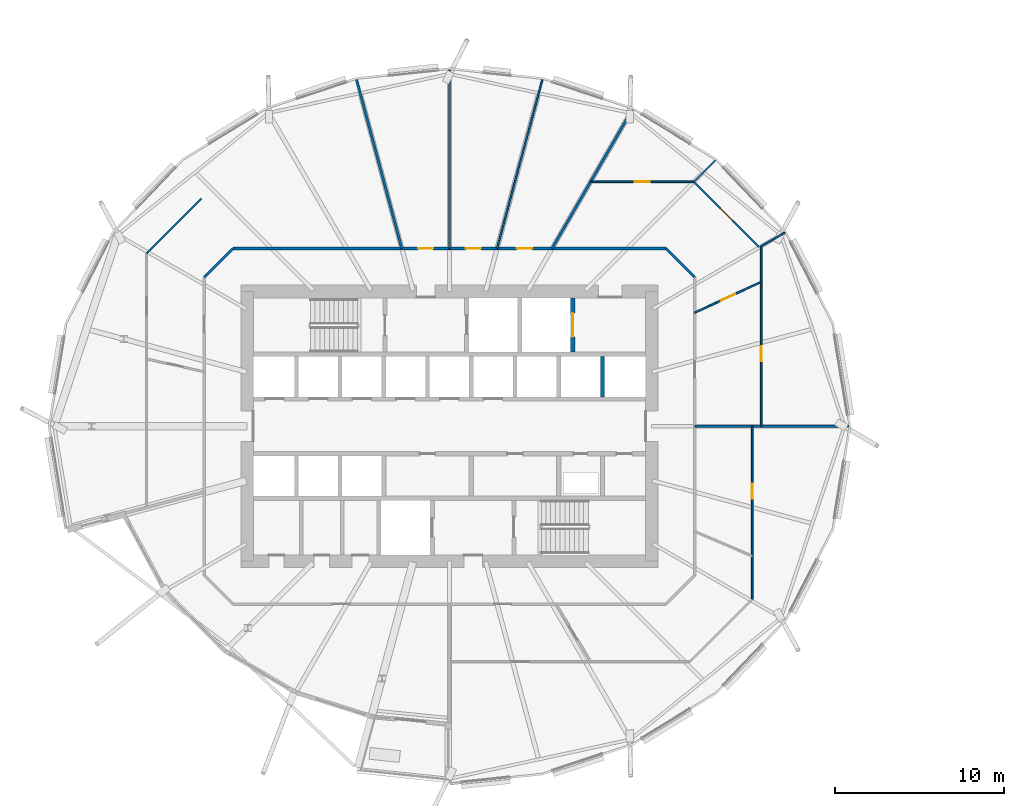
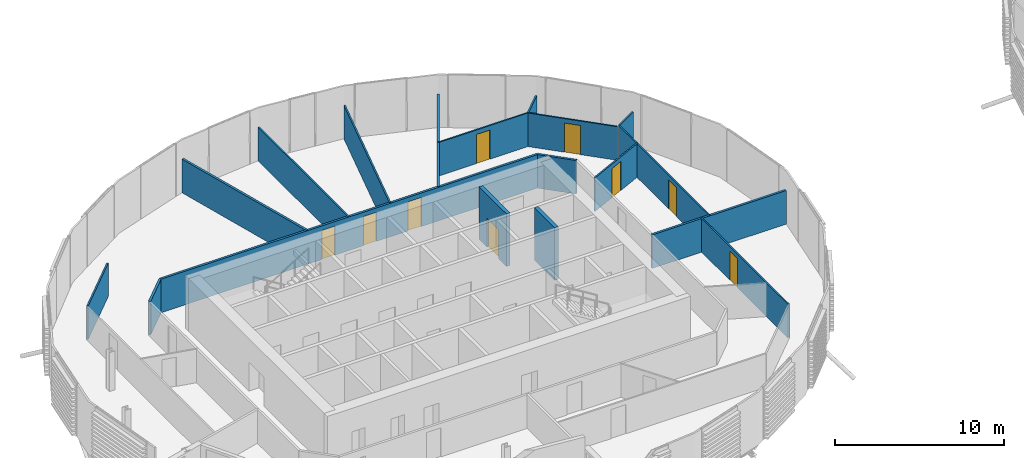
# One storey, part 24 of 43: 18 walls, 9 doors, 9 openings.
"""IFC4 building model written with IfcOpenShell, lengths in metres."""

import ifcopenshell
import ifcopenshell.guid

model = None  # the IFC model being written
_history = None  # IfcOwnerHistory: only IFC2X3 demands one
_inside = {}  # id of a spatial element -> (the spatial element, [elements in it])
_under = {}  # id of a project, library or spatial element -> (it, [spatial elements below it])
_declared = {}  # id of a project -> (the project, [libraries it declares])
_typed = {}  # id of a type object -> (the type object, [elements of that type])
_made_of = {}  # id of a material, layer set ... -> (it, [elements and type objects made of it])


def new_model(schema):
    """Start an empty IFC model of exactly this schema.

    Asked for "IFC4X3", IfcOpenShell would pick the latest addendum, in which some entities
    have other attributes; the version numbers below select the first issue.
    IFC2X3 requires an IfcOwnerHistory on every rooted entity: one is made here for all.
    """
    global model, _history
    if schema == "IFC4X3":
        model = ifcopenshell.file(schema_version=(4, 3, 0, 0))
    else:
        model = ifcopenshell.file(schema=schema)
    _inside.clear()
    _under.clear()
    _declared.clear()
    _typed.clear()
    _made_of.clear()
    _history = None
    if model.schema == "IFC2X3":
        org = make("IfcOrganization", Name="unknown")
        user = make(
            "IfcPersonAndOrganization",
            ThePerson=make("IfcPerson", FamilyName="unknown"),
            TheOrganization=org,
        )
        app = make(
            "IfcApplication",
            ApplicationDeveloper=org,
            Version="unknown",
            ApplicationFullName="unknown",
            ApplicationIdentifier="unknown",
        )
        _history = make(
            "IfcOwnerHistory",
            OwningUser=user,
            OwningApplication=app,
            ChangeAction="ADDED",
            CreationDate=0,
        )
    return model


def make(cls, **values):
    """One entity of the class cls with the attributes given. An attribute that is None is left unset."""
    return model.create_entity(
        cls, **{name: value for name, value in values.items() if value is not None}
    )


def rooted(cls, **values):
    """An entity with a GlobalId (a new one), such as an element, a storey or a relation."""
    return make(cls, GlobalId=ifcopenshell.guid.new(), OwnerHistory=_history, **values)


def si_unit(unit_type, name, prefix=None):
    """IfcSIUnit, for example si_unit("LENGTHUNIT", "METRE", prefix="MILLI")."""
    return make("IfcSIUnit", UnitType=unit_type, Prefix=prefix, Name=name)


def assignment(units):
    """IfcUnitAssignment: the units of a project."""
    return None if units is None else make("IfcUnitAssignment", Units=units)


def point(xyz):
    """IfcCartesianPoint."""
    return None if xyz is None else make("IfcCartesianPoint", Coordinates=xyz)


def direction(xyz):
    """IfcDirection."""
    return None if xyz is None else make("IfcDirection", DirectionRatios=xyz)


def frame(location, z_axis=None, x_axis=None):
    """IfcAxis2Placement3D, a coordinate frame: its origin and axes. An axis left out is left unset."""
    return make(
        "IfcAxis2Placement3D",
        Location=point(location),
        Axis=direction(z_axis),
        RefDirection=direction(x_axis),
    )


def frame_2d(location, x_axis=None):
    """IfcAxis2Placement2D, a coordinate frame in the plane: its origin and x axis."""
    return make(
        "IfcAxis2Placement2D", Location=point(location), RefDirection=direction(x_axis)
    )


def origin():
    """The frame at (0, 0, 0) with its axes left unset."""
    return frame((0.0, 0.0, 0.0))


def place(relative_to, where):
    """IfcLocalPlacement: puts the frame where relative to a parent placement (None: the world)."""
    return make(
        "IfcLocalPlacement", PlacementRelTo=relative_to, RelativePlacement=where
    )


def context(
    kind, dimensions, precision=None, world=None, true_north=None, identifier=None
):
    """IfcGeometricRepresentationContext, for example the 3D "Model" context."""
    return make(
        "IfcGeometricRepresentationContext",
        ContextIdentifier=identifier,
        ContextType=kind,
        CoordinateSpaceDimension=dimensions,
        Precision=precision,
        WorldCoordinateSystem=world,
        TrueNorth=true_north,
    )


def subcontext(parent, identifier, kind, view, scale=None):
    """IfcGeometricRepresentationSubContext, for example "Body" below "Model"."""
    return make(
        "IfcGeometricRepresentationSubContext",
        ContextIdentifier=identifier,
        ContextType=kind,
        ParentContext=parent,
        TargetScale=scale,
        TargetView=view,
    )


def project(units=None, contexts=None):
    """IfcProject with its units and contexts."""
    return rooted(
        "IfcProject",
        Name="project",
        RepresentationContexts=contexts,
        UnitsInContext=assignment(units),
    )


def spatial(cls, under=None, at=None, **own):
    """A site, building, storey or space (cls), placed at a placement, below another one or the project."""
    s = rooted(cls, ObjectPlacement=at, **own)
    if under is not None:
        _under.setdefault(under.id(), (under, []))[1].append(s)
    return s


def profile(cls, at=None, kind="AREA", **sizes):
    """A parametric profile (cls). Its sizes go by their IFC names, for example OverallWidth=200.0."""
    return make(cls, ProfileType=kind, Position=at, **sizes)


def rectangle(**sizes):
    """IfcRectangleProfileDef."""
    return profile("IfcRectangleProfileDef", **sizes)


def extrude(swept, where, along, depth):
    """IfcExtrudedAreaSolid: the profile swept, set in the frame where, extruded along a direction by depth."""
    return make(
        "IfcExtrudedAreaSolid",
        SweptArea=swept,
        Position=where,
        ExtrudedDirection=direction(along),
        Depth=depth,
    )


def shape(context_of_items, identifier, shape_type, items):
    """IfcShapeRepresentation: the items that make up one representation, for example the "Body"."""
    return make(
        "IfcShapeRepresentation",
        ContextOfItems=context_of_items,
        RepresentationIdentifier=identifier,
        RepresentationType=shape_type,
        Items=items,
    )


def material(Name=None, Category=None):
    """IfcMaterial."""
    return make("IfcMaterial", Name=Name, Category=Category)


def layer(
    of_material, thickness, ventilated=None, Name=None, Category=None, Priority=None
):
    """IfcMaterialLayer: one layer of a wall or slab, of a material (None: an air gap)."""
    return make(
        "IfcMaterialLayer",
        Material=of_material,
        LayerThickness=thickness,
        IsVentilated=ventilated,
        Name=Name,
        Category=Category,
        Priority=Priority,
    )


def layer_set(layers, Name=None):
    """IfcMaterialLayerSet."""
    return make("IfcMaterialLayerSet", MaterialLayers=layers, LayerSetName=Name)


def made_of(thing, what):
    """Note that an element or type object is made of a material, layer set ...; save() writes the relation."""
    if what is not None:
        _made_of.setdefault(what.id(), (what, []))[1].append(thing)
    return thing


def type_object(cls, material=None, **own):
    """A type object (cls), such as IfcWallType, which elements share."""
    return made_of(rooted(cls, **own), material)


def element(
    cls,
    number,
    at=None,
    inside=None,
    cuts=None,
    type_object=None,
    material=None,
    context=None,
    identifier="Body",
    shape_type=None,
    held_by="IfcProductDefinitionShape",
    body=None,
    shapes=None,
    **own,
):
    """One element of the class cls, such as IfcWall. Its Tag is "e" and its number.

    at: its placement. inside: the storey or other place that contains it. cuts: it is an
    opening in that element (IfcRelVoidsElement). A single representation is given by context,
    identifier, shape_type and body (its items); several are given by shapes. held_by: the class
    of the entity that holds the representations. save() writes the other relations.
    """
    e = rooted(cls, Tag="e%d" % number, ObjectPlacement=at, **own)
    if body is not None:
        shapes = [shape(context, identifier, shape_type, body)]
    if shapes is not None:
        e.Representation = make(held_by, Representations=shapes)
    if inside is not None:
        _inside.setdefault(inside.id(), (inside, []))[1].append(e)
    if cuts is not None:
        rooted(
            "IfcRelVoidsElement", RelatingBuildingElement=cuts, RelatedOpeningElement=e
        )
    if type_object is not None:
        _typed.setdefault(type_object.id(), (type_object, []))[1].append(e)
    return made_of(e, material)


def fill(opening, filler):
    """IfcRelFillsElement: the door or window that sits in an opening."""
    return rooted(
        "IfcRelFillsElement",
        RelatingOpeningElement=opening,
        RelatedBuildingElement=filler,
    )


def aggregate(whole, parts):
    """IfcRelAggregates: a whole, such as a stair, and the parts it consists of."""
    return rooted("IfcRelAggregates", RelatingObject=whole, RelatedObjects=parts)


def save(model, path):
    """Write the relations noted so far, then the file.

    IfcRelAggregates (storeys below a building ...), IfcRelContainedInSpatialStructure (elements
    in a storey), IfcRelDefinesByType, IfcRelAssociatesMaterial and IfcRelDeclares: one each for
    every whole, place, type object, material and project.
    """
    for whole, parts in _under.values():
        aggregate(whole, parts)
    for where, things in _inside.values():
        rooted(
            "IfcRelContainedInSpatialStructure",
            RelatedElements=things,
            RelatingStructure=where,
        )
    for kind, things in _typed.values():
        rooted("IfcRelDefinesByType", RelatedObjects=things, RelatingType=kind)
    for what, things in _made_of.values():
        rooted("IfcRelAssociatesMaterial", RelatedObjects=things, RelatingMaterial=what)
    for by, libraries in _declared.values():
        rooted("IfcRelDeclares", RelatingContext=by, RelatedDefinitions=libraries)
    model.write(path)


model = new_model("IFC4")

# Units and contexts
model_context = context("Model", 3, precision=1e-05, world=origin(), true_north=direction((0.0, 1.0)))
body_context = subcontext(model_context, "Body", "Model", "MODEL_VIEW")
ifc_project = project(units=[si_unit("LENGTHUNIT", "METRE"), si_unit("AREAUNIT", "SQUARE_METRE"), si_unit("VOLUMEUNIT", "CUBIC_METRE"), si_unit("PLANEANGLEUNIT", "RADIAN"), si_unit("MASSUNIT", "GRAM", prefix="KILO")], contexts=[model_context])

# Site, building, storey
site_placement = place(None, origin())
site = spatial("IfcSite", under=ifc_project, at=site_placement, CompositionType="ELEMENT")
building_placement = place(site_placement, origin())
building = spatial("IfcBuilding", under=site, at=building_placement, Name="Rimbun Link Towers", CompositionType="ELEMENT")
storey_placement = place(building_placement, frame((0.0, 0.0, 81.60009765625)))
storey = spatial("IfcBuildingStorey", under=building, at=storey_placement, Name="L19", CompositionType="ELEMENT", Elevation=81.60009765625)

# Wall, openings, doors
ifc_material_1 = material(Name="Plasterboard on steel stud, mineral wool", Category="steel")
ifc_layer_1 = layer(ifc_material_1, 0.14990234375)
ifc_layer_set_1 = layer_set([ifc_layer_1], Name="Corridor wall EI 30 150 mm")
wall_type_1 = type_object("IfcWallType", Name="Corridor wall EI 30 150 mm", PredefinedType="PARTITIONING", material=ifc_layer_set_1)
wall_1_placement = place(storey_placement, frame((-44.601806640625, 10.550048828125, 0.0), z_axis=(0.0, 0.0, 1.0), x_axis=(1.0, 0.0, 0.0)))
wall_1 = element("IfcWall", 1, at=wall_1_placement, inside=storey, type_object=wall_type_1, Name="Corridor wall EI 30 150 mm", PredefinedType="PARTITIONING", context=body_context, shape_type="SweptSolid", body=[
    extrude(rectangle(XDim=25.70361328125, YDim=0.14990234375, at=frame_2d((12.851806640625, 0.0))), origin(), (0.0, 0.0, 1.0), 2.419921875),
])
opening_1_placement = place(wall_1_placement, frame((16.860595703125, 0.0, 0.0)))
opening_1 = element("IfcOpeningElement", 2, at=opening_1_placement, cuts=wall_1, Name="Opening D02", PredefinedType="OPENING", context=body_context, shape_type="SweptSolid", body=[
    extrude(rectangle(XDim=0.89990234375, YDim=2.10009765625, at=frame_2d((0.449951171875, 1.050048828125))), frame((0.0, 0.0849609375, 0.0), z_axis=(0.0, -1.0, 0.0), x_axis=(1.0, 0.0, 0.0)), (0.0, 0.0, 1.0), 0.169921875),
])
opening_2_placement = place(wall_1_placement, frame((13.815185546875, 0.0, 0.0)))
opening_2 = element("IfcOpeningElement", 3, at=opening_2_placement, cuts=wall_1, Name="Opening D02", PredefinedType="OPENING", context=body_context, shape_type="SweptSolid", body=[
    extrude(rectangle(XDim=0.89990234375, YDim=2.10009765625, at=frame_2d((0.449951171875, 1.050048828125))), frame((0.0, 0.0849609375, 0.0), z_axis=(0.0, -1.0, 0.0), x_axis=(1.0, 0.0, 0.0)), (0.0, 0.0, 1.0), 0.169921875),
])
opening_3_placement = place(wall_1_placement, frame((10.98828125, 0.0, 0.0)))
opening_3 = element("IfcOpeningElement", 4, at=opening_3_placement, cuts=wall_1, Name="Opening D02", PredefinedType="OPENING", context=body_context, shape_type="SweptSolid", body=[
    extrude(rectangle(XDim=0.89990234375, YDim=2.10009765625, at=frame_2d((0.449951171875, 1.050048828125))), frame((0.0, 0.0849609375, 0.0), z_axis=(0.0, -1.0, 0.0), x_axis=(1.0, 0.0, 0.0)), (0.0, 0.0, 1.0), 0.169921875),
])
ifc_material_2 = material(Name="Fire-resisting timber door leaf", Category="wood")
door_type_1 = type_object("IfcDoorType", Name="Fire door FD30S 900", OperationType="NOTDEFINED", PredefinedType="DOOR", material=ifc_material_2)
door_1_placement = place(opening_1_placement, origin())
door_1 = element("IfcDoor", 5, at=door_1_placement, inside=storey, type_object=door_type_1, Name="Fire door FD30S 900 to Cellular office", OperationType="SINGLE_SWING_LEFT", OverallHeight=2.10009765625, OverallWidth=0.89990234375, PredefinedType="DOOR", context=body_context, shape_type="SweptSolid", body=[
    extrude(rectangle(XDim=0.89990234375, YDim=2.10009765625, at=frame_2d((0.449951171875, 1.050048828125))), frame((0.0, 0.02490234375, 0.0), z_axis=(0.0, -1.0, 0.0), x_axis=(1.0, 0.0, 0.0)), (0.0, 0.0, 1.0), 0.050048828125),
])
fill(opening_1, door_1)
door_2_placement = place(opening_2_placement, origin())
door_2 = element("IfcDoor", 6, at=door_2_placement, inside=storey, type_object=door_type_1, Name="Fire door FD30S 900 to Meeting room", OperationType="SINGLE_SWING_RIGHT", OverallHeight=2.10009765625, OverallWidth=0.89990234375, PredefinedType="DOOR", context=body_context, shape_type="SweptSolid", body=[
    extrude(rectangle(XDim=0.89990234375, YDim=2.10009765625, at=frame_2d((0.449951171875, 1.050048828125))), frame((0.0, 0.02490234375, 0.0), z_axis=(0.0, -1.0, 0.0), x_axis=(1.0, 0.0, 0.0)), (0.0, 0.0, 1.0), 0.050048828125),
])
fill(opening_2, door_2)
door_3_placement = place(opening_3_placement, origin())
door_3 = element("IfcDoor", 7, at=door_3_placement, inside=storey, type_object=door_type_1, Name="Fire door FD30S 900 to Meeting room", OperationType="SINGLE_SWING_LEFT", OverallHeight=2.10009765625, OverallWidth=0.89990234375, PredefinedType="DOOR", context=body_context, shape_type="SweptSolid", body=[
    extrude(rectangle(XDim=0.89990234375, YDim=2.10009765625, at=frame_2d((0.449951171875, 1.050048828125))), frame((0.0, 0.02490234375, 0.0), z_axis=(0.0, -1.0, 0.0), x_axis=(1.0, 0.0, 0.0)), (0.0, 0.0, 1.0), 0.050048828125),
])
fill(opening_3, door_3)

# Walls
for number, where, z_axis, x_axis, name in (
    (8, (-17.199951171875, 8.851806640625, 0.0), (0.0, 0.0, 1.0), (-0.707106781187, 0.707106781187, 0.0), "Corridor wall EI 30 150 mm"),
    (9, (-44.601806640625, 10.550048828125, 0.0), (0.0, 0.0, 1.0), (-0.707106781187, -0.707106781187, 0.0), "Corridor wall EI 30 150 mm"),
):
    element("IfcWall", number, at=place(storey_placement, frame(where, z_axis=z_axis, x_axis=x_axis)), inside=storey, type_object=wall_type_1, Name=name, PredefinedType="PARTITIONING", context=body_context, shape_type="SweptSolid", body=[
        extrude(rectangle(XDim=2.401611328125, YDim=0.14990234375, at=frame_2d((1.20068359375, 0.0))), origin(), (0.0, 0.0, 1.0), 2.419921875),
    ])

# Wall, opening, door
ifc_material_3 = material(Name="Plasterboard on steel stud", Category="steel")
ifc_layer_2 = layer(ifc_material_3, 0.10009765625)
ifc_layer_set_2 = layer_set([ifc_layer_2], Name="Plasterboard partition 100 mm")
wall_type_2 = type_object("IfcWallType", Name="Plasterboard partition 100 mm", PredefinedType="PARTITIONING", material=ifc_layer_set_2)
wall_2_placement = place(storey_placement, frame((-13.780029296875, -10.268310546875, 0.0), z_axis=(0.0, 0.0, 1.0), x_axis=(0.0, 1.0, 0.0)))
wall_2 = element("IfcWall", 10, at=wall_2_placement, inside=storey, type_object=wall_type_2, Name="Plasterboard partition 100 mm", PredefinedType="PARTITIONING", context=body_context, shape_type="SweptSolid", body=[
    extrude(rectangle(XDim=10.268310546875, YDim=0.10009765625, at=frame_2d((5.13427734375, 0.0))), origin(), (0.0, 0.0, 1.0), 2.419921875),
])
opening_4_placement = place(wall_2_placement, frame((5.96728515625, 0.0, 0.0)))
opening_4 = element("IfcOpeningElement", 11, at=opening_4_placement, cuts=wall_2, Name="Opening D04", PredefinedType="OPENING", context=body_context, shape_type="SweptSolid", body=[
    extrude(rectangle(XDim=0.89990234375, YDim=2.10009765625, at=frame_2d((0.449951171875, 1.050048828125))), frame((0.0, 0.06005859375, 0.0), z_axis=(0.0, -1.0, 0.0), x_axis=(1.0, 0.0, 0.0)), (0.0, 0.0, 1.0), 0.1201171875),
])
ifc_material_4 = material(Name="Timber door leaf", Category="wood")
door_type_2 = type_object("IfcDoorType", Name="Flush door 900", OperationType="NOTDEFINED", PredefinedType="DOOR", material=ifc_material_4)
door_4_placement = place(opening_4_placement, origin())
door_4 = element("IfcDoor", 12, at=door_4_placement, inside=storey, type_object=door_type_2, Name="Flush door 900 to Print room", OperationType="SINGLE_SWING_RIGHT", OverallHeight=2.10009765625, OverallWidth=0.89990234375, PredefinedType="DOOR", context=body_context, shape_type="SweptSolid", body=[
    extrude(rectangle(XDim=0.89990234375, YDim=2.10009765625, at=frame_2d((0.449951171875, 1.050048828125))), frame((0.0, 0.02490234375, 0.0), z_axis=(0.0, -1.0, 0.0), x_axis=(1.0, 0.0, 0.0)), (0.0, 0.0, 1.0), 0.050048828125),
])
fill(opening_4, door_4)

wall_3_placement = place(storey_placement, frame((-17.199951171875, 6.73779296875, 0.0), z_axis=(0.0, 0.0, 1.0), x_axis=(0.907408442515, 0.420249828617, 0.0)))
wall_3 = element("IfcWall", 13, at=wall_3_placement, inside=storey, type_object=wall_type_2, Name="Plasterboard partition 100 mm", PredefinedType="PARTITIONING", context=body_context, shape_type="SweptSolid", body=[
    extrude(rectangle(XDim=4.364013671875, YDim=0.10009765625, at=frame_2d((2.18212890625, 0.0))), origin(), (0.0, 0.0, 1.0), 2.419921875),
])
opening_5_placement = place(wall_3_placement, frame((1.73193359375, 0.0, 0.0)))
opening_5 = element("IfcOpeningElement", 14, at=opening_5_placement, cuts=wall_3, Name="Opening D04", PredefinedType="OPENING", context=body_context, shape_type="SweptSolid", body=[
    extrude(rectangle(XDim=0.89990234375, YDim=2.10009765625, at=frame_2d((0.449951171875, 1.050048828125))), frame((0.0, 0.06005859375, 0.0), z_axis=(0.0, -1.0, 0.0), x_axis=(1.0, 0.0, 0.0)), (0.0, 0.0, 1.0), 0.1201171875),
])
door_5_placement = place(opening_5_placement, origin())
door_5 = element("IfcDoor", 15, at=door_5_placement, inside=storey, type_object=door_type_2, Name="Flush door 900 to Meeting room", OperationType="SINGLE_SWING_RIGHT", OverallHeight=2.10009765625, OverallWidth=0.89990234375, PredefinedType="DOOR", context=body_context, shape_type="SweptSolid", body=[
    extrude(rectangle(XDim=0.89990234375, YDim=2.10009765625, at=frame_2d((0.449951171875, 1.050048828125))), frame((0.0, 0.02490234375, 0.0), z_axis=(0.0, -1.0, 0.0), x_axis=(1.0, 0.0, 0.0)), (0.0, 0.0, 1.0), 0.050048828125),
])
fill(opening_5, door_5)

wall_4_placement = place(storey_placement, frame((-13.239990234375, 10.686767578125, 0.0), z_axis=(0.0, 0.0, 1.0), x_axis=(0.0, -1.0, 0.0)))
wall_4 = element("IfcWall", 16, at=wall_4_placement, inside=storey, type_object=wall_type_2, Name="Plasterboard partition 100 mm", PredefinedType="PARTITIONING", context=body_context, shape_type="SweptSolid", body=[
    extrude(rectangle(XDim=10.686767578125, YDim=0.10009765625, at=frame_2d((5.34326171875, 0.0))), origin(), (0.0, 0.0, 1.0), 2.419921875),
])
opening_6_placement = place(wall_4_placement, frame((5.935791015625, 0.0, 0.0)))
opening_6 = element("IfcOpeningElement", 17, at=opening_6_placement, cuts=wall_4, Name="Opening D04", PredefinedType="OPENING", context=body_context, shape_type="SweptSolid", body=[
    extrude(rectangle(XDim=0.89990234375, YDim=2.10009765625, at=frame_2d((0.449951171875, 1.050048828125))), frame((0.0, 0.06005859375, 0.0), z_axis=(0.0, -1.0, 0.0), x_axis=(1.0, 0.0, 0.0)), (0.0, 0.0, 1.0), 0.1201171875),
])
door_6_placement = place(opening_6_placement, origin())
door_6 = element("IfcDoor", 18, at=door_6_placement, inside=storey, type_object=door_type_2, Name="Flush door 900 to Executive office", OperationType="SINGLE_SWING_LEFT", OverallHeight=2.10009765625, OverallWidth=0.89990234375, PredefinedType="DOOR", context=body_context, shape_type="SweptSolid", body=[
    extrude(rectangle(XDim=0.89990234375, YDim=2.10009765625, at=frame_2d((0.449951171875, 1.050048828125))), frame((0.0, 0.02490234375, 0.0), z_axis=(0.0, -1.0, 0.0), x_axis=(1.0, 0.0, 0.0)), (0.0, 0.0, 1.0), 0.050048828125),
])
fill(opening_6, door_6)

wall_5_placement = place(storey_placement, frame((-17.2490234375, 14.5009765625, 0.0), z_axis=(0.0, 0.0, 1.0), x_axis=(0.707106781187, -0.707106781187, 0.0)))
wall_5 = element("IfcWall", 19, at=wall_5_placement, inside=storey, type_object=wall_type_2, Name="Plasterboard partition 100 mm", PredefinedType="PARTITIONING", context=body_context, shape_type="SweptSolid", body=[
    extrude(rectangle(XDim=5.47119140625, YDim=0.10009765625, at=frame_2d((2.735595703125, 0.0))), origin(), (0.0, 0.0, 1.0), 2.419921875),
])
opening_7_placement = place(wall_5_placement, frame((2.235595703125, 0.0, 0.0)))
opening_7 = element("IfcOpeningElement", 20, at=opening_7_placement, cuts=wall_5, Name="Opening D03", PredefinedType="OPENING", context=body_context, shape_type="SweptSolid", body=[
    extrude(rectangle(XDim=1.0, YDim=2.10009765625, at=frame_2d((0.5, 1.050048828125))), frame((0.0, 0.06005859375, 0.0), z_axis=(0.0, -1.0, 0.0), x_axis=(1.0, 0.0, 0.0)), (0.0, 0.0, 1.0), 0.1201171875),
])
ifc_material_5 = material(Name="Timber door leaf", Category="wood")
door_type_3 = type_object("IfcDoorType", Name="Flush door 1000", OperationType="NOTDEFINED", PredefinedType="DOOR", material=ifc_material_5)
door_7_placement = place(opening_7_placement, origin())
door_7 = element("IfcDoor", 21, at=door_7_placement, inside=storey, type_object=door_type_3, Name="Flush door 1000 to Open office", OperationType="SINGLE_SWING_LEFT", OverallHeight=2.10009765625, OverallWidth=1.0, PredefinedType="DOOR", context=body_context, shape_type="SweptSolid", body=[
    extrude(rectangle(XDim=1.0, YDim=2.10009765625, at=frame_2d((0.5, 1.050048828125))), frame((0.0, 0.02490234375, 0.0), z_axis=(0.0, -1.0, 0.0), x_axis=(1.0, 0.0, 0.0)), (0.0, 0.0, 1.0), 0.050048828125),
])
fill(opening_7, door_7)

wall_6_placement = place(storey_placement, frame((-23.372802734375, 14.510009765625, 0.0), z_axis=(0.0, 0.0, 1.0), x_axis=(1.0, 0.0, 0.0)))
wall_6 = element("IfcWall", 22, at=wall_6_placement, inside=storey, type_object=wall_type_2, Name="Plasterboard partition 100 mm", PredefinedType="PARTITIONING", context=body_context, shape_type="SweptSolid", body=[
    extrude(rectangle(XDim=6.11474609375, YDim=0.10009765625, at=frame_2d((3.057373046875, 0.0))), origin(), (0.0, 0.0, 1.0), 2.419921875),
])
opening_8_placement = place(wall_6_placement, frame((2.607421875, 0.0, 0.0)))
opening_8 = element("IfcOpeningElement", 23, at=opening_8_placement, cuts=wall_6, Name="Opening D04", PredefinedType="OPENING", context=body_context, shape_type="SweptSolid", body=[
    extrude(rectangle(XDim=0.89990234375, YDim=2.10009765625, at=frame_2d((0.449951171875, 1.050048828125))), frame((0.0, 0.06005859375, 0.0), z_axis=(0.0, -1.0, 0.0), x_axis=(1.0, 0.0, 0.0)), (0.0, 0.0, 1.0), 0.1201171875),
])
door_8_placement = place(opening_8_placement, origin())
door_8 = element("IfcDoor", 24, at=door_8_placement, inside=storey, type_object=door_type_2, Name="Flush door 900 to Boardroom", OperationType="SINGLE_SWING_RIGHT", OverallHeight=2.10009765625, OverallWidth=0.89990234375, PredefinedType="DOOR", context=body_context, shape_type="SweptSolid", body=[
    extrude(rectangle(XDim=0.89990234375, YDim=2.10009765625, at=frame_2d((0.449951171875, 1.050048828125))), frame((0.0, 0.02490234375, 0.0), z_axis=(0.0, -1.0, 0.0), x_axis=(1.0, 0.0, 0.0)), (0.0, 0.0, 1.0), 0.050048828125),
])
fill(opening_8, door_8)

# Walls
wall_7_placement = place(storey_placement, frame((-11.84326171875, 11.4931640625, 0.0), z_axis=(0.0, 0.0, 1.0), x_axis=(-0.866026773083, -0.499997628298, 0.0)))
element("IfcWall", 25, at=wall_7_placement, inside=storey, type_object=wall_type_2, Name="Plasterboard partition 100 mm", PredefinedType="PARTITIONING", context=body_context, shape_type="SweptSolid", body=[
    extrude(rectangle(XDim=1.61279296875, YDim=0.10009765625, at=frame_2d((0.806396484375, 0.0))), origin(), (0.0, 0.0, 1.0), 2.419921875),
])
wall_8_placement = place(storey_placement, frame((-15.96142578125, 15.78857421875, 0.0), z_axis=(0.0, 0.0, 1.0), x_axis=(-0.707106781187, -0.707106781187, 0.0)))
element("IfcWall", 26, at=wall_8_placement, inside=storey, type_object=wall_type_2, Name="Plasterboard partition 100 mm", PredefinedType="PARTITIONING", context=body_context, shape_type="SweptSolid", body=[
    extrude(rectangle(XDim=1.821044921875, YDim=0.10009765625, at=frame_2d((0.91064453125, 0.0))), origin(), (0.0, 0.0, 1.0), 2.419921875),
])
wall_9_placement = place(storey_placement, frame((-26.234130859375, 20.585205078125, 0.0), z_axis=(0.0, 0.0, 1.0), x_axis=(-0.258823789622, -0.965924554986, 0.0)))
element("IfcWall", 27, at=wall_9_placement, inside=storey, type_object=wall_type_2, Name="Plasterboard partition 100 mm", PredefinedType="PARTITIONING", context=body_context, shape_type="SweptSolid", body=[
    extrude(rectangle(XDim=10.38916015625, YDim=0.10009765625, at=frame_2d((5.194580078125, 0.0))), origin(), (0.0, 0.0, 1.0), 2.419921875),
])
wall_10_placement = place(storey_placement, frame((-31.75, 21.166015625, 0.0), z_axis=(0.0, 0.0, 1.0), x_axis=(0.0, -1.0, 0.0)))
element("IfcWall", 28, at=wall_10_placement, inside=storey, type_object=wall_type_2, Name="Plasterboard partition 100 mm", PredefinedType="PARTITIONING", context=body_context, shape_type="SweptSolid", body=[
    extrude(rectangle(XDim=10.615966796875, YDim=0.10009765625, at=frame_2d((5.30810546875, 0.0))), origin(), (0.0, 0.0, 1.0), 2.419921875),
])
wall_11_placement = place(storey_placement, frame((-46.477294921875, 13.510986328125, 0.0), z_axis=(0.0, 0.0, 1.0), x_axis=(-0.707106781187, -0.707106781187, 0.0)))
element("IfcWall", 29, at=wall_11_placement, inside=storey, type_object=wall_type_2, Name="Plasterboard partition 100 mm", PredefinedType="PARTITIONING", context=body_context, shape_type="SweptSolid", body=[
    extrude(rectangle(XDim=4.5859375, YDim=0.10009765625, at=frame_2d((2.29296875, 0.0))), origin(), (0.0, 0.0, 1.0), 2.419921875),
])
ifc_material_6 = material(Name="Concrete C60/75", Category="concrete")
ifc_layer_3 = layer(ifc_material_6, 0.25)
ifc_layer_set_3 = layer_set([ifc_layer_3], Name="Shaft wall 250")
wall_type_3 = type_object("IfcWallType", Name="Shaft wall 250", PredefinedType="SHEAR", material=ifc_layer_set_3)
wall_12_placement = place(storey_placement, frame((-22.66943359375, 1.75, 0.0), z_axis=(0.0, 0.0, 1.0), x_axis=(0.0, 1.0, 0.0)))
element("IfcWall", 30, at=wall_12_placement, inside=storey, type_object=wall_type_3, Name="L19 T1 core wall DN7", PredefinedType="SHEAR", context=body_context, shape_type="SweptSolid", body=[
    extrude(rectangle(XDim=2.39990234375, YDim=0.25, at=frame_2d((1.199951171875, 0.0))), origin(), (0.0, 0.0, 1.0), 3.7998046875),
])

# Wall, opening, door
wall_13_placement = place(storey_placement, frame((-24.425048828125, 4.39990234375, 0.0), z_axis=(0.0, 0.0, 1.0), x_axis=(0.0, 1.0, 0.0)))
wall_13 = element("IfcWall", 31, at=wall_13_placement, inside=storey, type_object=wall_type_3, Name="L19 T1 core wall A4", PredefinedType="SHEAR", context=body_context, shape_type="SweptSolid", body=[
    extrude(rectangle(XDim=3.22509765625, YDim=0.25, at=frame_2d((1.612548828125, 0.0))), origin(), (0.0, 0.0, 1.0), 3.7998046875),
])
opening_9_placement = place(wall_13_placement, frame((0.91259765625, 0.0, 0.0)))
opening_9 = element("IfcOpeningElement", 32, at=opening_9_placement, cuts=wall_13, Name="Opening LD-T1-GL1", PredefinedType="OPENING", context=body_context, shape_type="SweptSolid", body=[
    extrude(rectangle(XDim=1.39990234375, YDim=2.10009765625, at=frame_2d((0.699951171875, 1.050048828125))), frame((0.0, 0.135009765625, 0.0), z_axis=(0.0, -1.0, 0.0), x_axis=(1.0, 0.0, 0.0)), (0.0, 0.0, 1.0), 0.27001953125),
])
ifc_material_7 = material(Name="Stainless steel grade 316", Category="steel")
door_type_4 = type_object("IfcDoorType", Name="Goods lift landing door", OperationType="DOUBLE_DOOR_SLIDING", PredefinedType="DOOR", material=ifc_material_7)
door_9_placement = place(opening_9_placement, origin())
door_9 = element("IfcDoor", 33, at=door_9_placement, inside=storey, type_object=door_type_4, Name="L19 T1 lift GL1 landing door", OperationType="DOUBLE_DOOR_SLIDING", OverallHeight=2.10009765625, OverallWidth=1.39990234375, PredefinedType="DOOR", context=body_context, shape_type="SweptSolid", body=[
    extrude(rectangle(XDim=1.39990234375, YDim=2.10009765625, at=frame_2d((0.699951171875, 1.050048828125))), frame((0.0, 0.02490234375, 0.0), z_axis=(0.0, -1.0, 0.0), x_axis=(1.0, 0.0, 0.0)), (0.0, 0.0, 1.0), 0.050048828125),
])
fill(opening_9, door_9)

# Walls
ifc_material_8 = material(Name="Plasterboard on steel stud, mineral wool", Category="steel")
ifc_layer_4 = layer(ifc_material_8, 0.14990234375)
ifc_layer_set_4 = layer_set([ifc_layer_4], Name="Tenancy separation wall EI 60 150 mm")
wall_type_4 = type_object("IfcWallType", Name="Tenancy separation wall EI 60 150 mm", PredefinedType="PARTITIONING", material=ifc_layer_set_4)
wall_14_placement = place(storey_placement, frame((-17.199951171875, 0.0, 0.0), z_axis=(0.0, 0.0, 1.0), x_axis=(1.0, 0.0, 0.0)))
element("IfcWall", 34, at=wall_14_placement, inside=storey, type_object=wall_type_4, Name="Tenancy separation wall EI 60 150 mm", PredefinedType="PARTITIONING", context=body_context, shape_type="SweptSolid", body=[
    extrude(rectangle(XDim=9.15576171875, YDim=0.14990234375, at=frame_2d((4.577880859375, 0.0))), origin(), (0.0, 0.0, 1.0), 2.419921875),
])
wall_15_placement = place(storey_placement, frame((-25.658935546875, 10.550048828125, 0.0), z_axis=(0.0, 0.0, 1.0), x_axis=(0.499988974131, 0.86603176948, 0.0)))
element("IfcWall", 35, at=wall_15_placement, inside=storey, type_object=wall_type_4, Name="Tenancy separation wall EI 60 150 mm", PredefinedType="PARTITIONING", context=body_context, shape_type="SweptSolid", body=[
    extrude(rectangle(XDim=9.541748046875, YDim=0.14990234375, at=frame_2d((4.77099609375, 0.0))), origin(), (0.0, 0.0, 1.0), 2.419921875),
])
wall_16_placement = place(storey_placement, frame((-34.576904296875, 10.550048828125, 0.0), z_axis=(0.0, 0.0, 1.0), x_axis=(-0.258823789622, 0.965924554986, 0.0)))
element("IfcWall", 36, at=wall_16_placement, inside=storey, type_object=wall_type_4, Name="Tenancy separation wall EI 60 150 mm", PredefinedType="PARTITIONING", context=body_context, shape_type="SweptSolid", body=[
    extrude(rectangle(XDim=10.38916015625, YDim=0.14990234375, at=frame_2d((5.194580078125, 0.0))), origin(), (0.0, 0.0, 1.0), 2.419921875),
])

save(model, "model.ifc")
